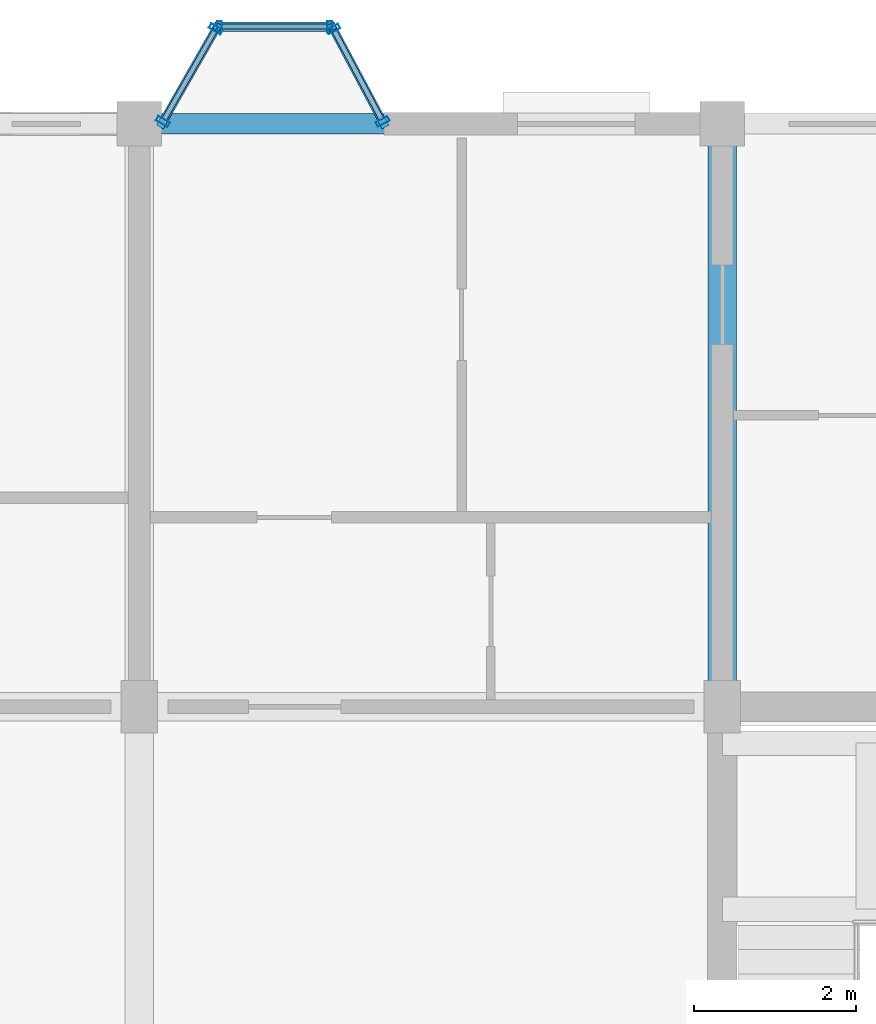
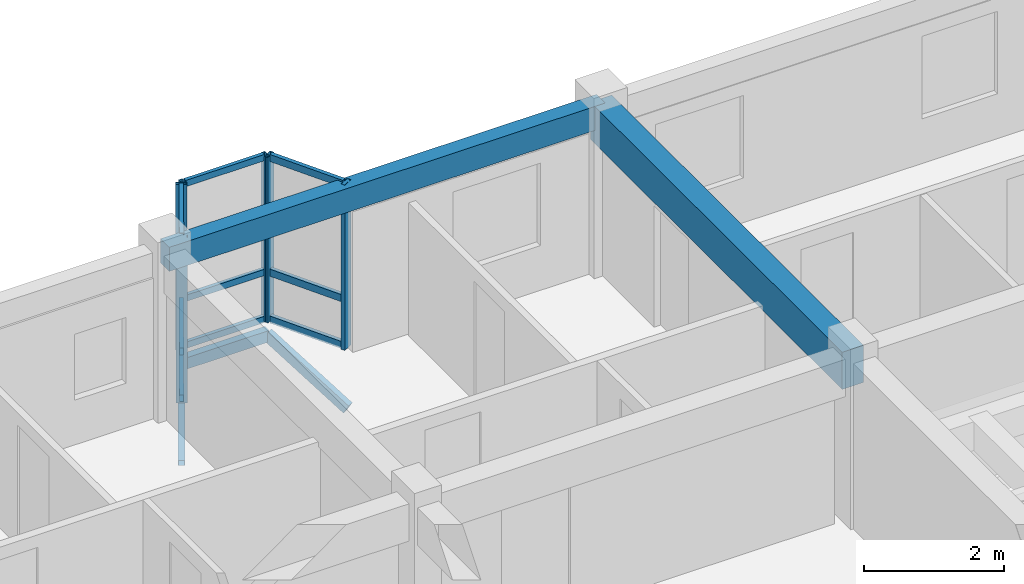
# One storey, part 42 of 77: 18 members, 2 beams, 3 elements without a shape of their own.
"""IFC4 building model written with IfcOpenShell, lengths in metres."""

from ifc_helpers import new_model, si_unit, direction, frame, origin, origin_2d, place, context, subcontext, project, spatial, rectangle, hollow_rectangle, extrude, material, layer, layer_set, material_profile, profile_set, type_object, element, aggregate, save


model = new_model("IFC4")

# Units and contexts
model_context = context("Model", 3, precision=1e-05, world=origin(), true_north=direction((0.0, 1.0)))
body_context = subcontext(model_context, "Body", "Model", "MODEL_VIEW")
ifc_project = project(units=[si_unit("LENGTHUNIT", "METRE"), si_unit("AREAUNIT", "SQUARE_METRE"), si_unit("VOLUMEUNIT", "CUBIC_METRE"), si_unit("PLANEANGLEUNIT", "RADIAN"), si_unit("MASSUNIT", "GRAM", prefix="KILO"), si_unit("THERMODYNAMICTEMPERATUREUNIT", "KELVIN"), si_unit("POWERUNIT", "WATT")], contexts=[model_context])

# Site, building, storey
site_placement = place(None, origin())
site = spatial("IfcSite", under=ifc_project, at=site_placement, CompositionType="ELEMENT")
building_placement = place(site_placement, origin())
building = spatial("IfcBuilding", under=site, at=building_placement, Name="Tavuni Mirador Residences", CompositionType="ELEMENT")
storey_placement = place(building_placement, frame((0.0, 0.0, 10.800048828125)))
storey = spatial("IfcBuildingStorey", under=building, at=storey_placement, Name="L03", CompositionType="ELEMENT", Elevation=10.800048828125)

# Beams
ifc_material_1 = material(Name="Precast concrete C40/50", Category="concrete")
ifc_material_profile_1 = material_profile(ifc_material_1, rectangle(XDim=0.35009765625, YDim=0.64990234375, at=origin_2d()), Name="PC 350x650", Category="concrete")
ifc_profile_set_1 = profile_set([ifc_material_profile_1], Name="Precast concrete C40/50")
beam_type_1 = type_object("IfcBeamType", Name="BT-B650", PredefinedType="BEAM", material=ifc_profile_set_1)
beam_1_placement = place(storey_placement, frame((25.199951171875, 165.60009765625, 2.56005859375), z_axis=(0.0, 1.0, 0.0), x_axis=(-1.0, 0.0, 0.0)))
element("IfcBeam", 1, at=beam_1_placement, inside=storey, type_object=beam_type_1, Name="BMY-BLK-C-L03-02-03", PredefinedType="BEAM", context=body_context, shape_type="SweptSolid", body=[
    extrude(rectangle(XDim=0.35009765625, YDim=0.64990234375, at=origin_2d()), origin(), (0.0, 0.0, 1.0), 7.199951171875),
])
ifc_material_profile_2 = material_profile(ifc_material_1, rectangle(XDim=0.25, YDim=0.419921875, at=origin_2d()), Name="PC 250x420", Category="concrete")
ifc_profile_set_2 = profile_set([ifc_material_profile_2], Name="Precast concrete C40/50")
beam_type_2 = type_object("IfcBeamType", Name="BT-SP420", PredefinedType="SPANDREL", material=ifc_profile_set_2)
beam_2_placement = place(storey_placement, frame((18.0, 172.800048828125, 2.675048828125), z_axis=(1.0, 0.0, 0.0), x_axis=(0.0, 1.0, 0.0)))
element("IfcBeam", 2, at=beam_2_placement, inside=storey, type_object=beam_type_2, Name="BMX-BLK-C-L03-01-04", PredefinedType="SPANDREL", context=body_context, shape_type="SweptSolid", body=[
    extrude(rectangle(XDim=0.25, YDim=0.419921875, at=origin_2d()), origin(), (0.0, 0.0, 1.0), 7.199951171875),
])

# Curtain wall, members
ifc_material_2 = material(Name="Anodised aluminium", Category="aluminium")
ifc_layer_1 = layer(ifc_material_2, 0.1650390625, Name="Anodised aluminium", Category="aluminium")
ifc_layer_set_1 = layer_set([ifc_layer_1], Name="Anodised aluminium")
curtain_wall_type_1 = type_object("IfcCurtainWallType", Name="CWT-MIR-A", PredefinedType="NOTDEFINED", material=ifc_layer_set_1)
curtain_wall_1_placement = place(storey_placement, origin())
curtain_wall_1 = element("IfcCurtainWall", 3, at=curtain_wall_1_placement, inside=storey, type_object=curtain_wall_type_1, Name="CW-MIR-C-N1-L03-MF", PredefinedType="NOTDEFINED")
ifc_material_profile_3 = material_profile(ifc_material_2, hollow_rectangle(XDim=0.06005859375, YDim=0.139892578125, WallThickness=0.00390625, at=origin_2d()), Name="ALU 60x140x4.0", Category="aluminium")
ifc_profile_set_3 = profile_set([ifc_material_profile_3], Name="Anodised aluminium")
member_type_1 = type_object("IfcMemberType", Name="CWM-140", PredefinedType="MULLION", material=ifc_profile_set_3)
member_1_placement = place(storey_placement, frame((20.35009765625, 174.0, 0.0), z_axis=(0.0, 0.0, 1.0), x_axis=(-1.0, 0.0, 0.0)))
member_1 = element("IfcMember", 4, at=member_1_placement, type_object=member_type_1, Name="CW-01 mullion 1", PredefinedType="MULLION", context=body_context, shape_type="SweptSolid", body=[
    extrude(hollow_rectangle(XDim=0.06005859375, YDim=0.139892578125, WallThickness=0.00390625, at=origin_2d()), origin(), (0.0, 0.0, 1.0), 2.885009765625),
])
member_2_placement = place(storey_placement, frame((18.989990234375, 174.0, 0.0), z_axis=(0.0, 0.0, 1.0), x_axis=(-1.0, 0.0, 0.0)))
member_2 = element("IfcMember", 5, at=member_2_placement, type_object=member_type_1, Name="CW-01 mullion 2", PredefinedType="MULLION", context=body_context, shape_type="SweptSolid", body=[
    extrude(hollow_rectangle(XDim=0.06005859375, YDim=0.139892578125, WallThickness=0.00390625, at=origin_2d()), origin(), (0.0, 0.0, 1.0), 2.885009765625),
])

ifc_layer_2 = layer(ifc_material_2, 0.159912109375, Name="Anodised aluminium", Category="aluminium")
ifc_layer_set_2 = layer_set([ifc_layer_2], Name="Anodised aluminium")
curtain_wall_type_2 = type_object("IfcCurtainWallType", Name="CWT-MIR-D", PredefinedType="NOTDEFINED", material=ifc_layer_set_2)
curtain_wall_2_placement = place(storey_placement, origin())
curtain_wall_2 = element("IfcCurtainWall", 6, at=curtain_wall_2_placement, inside=storey, type_object=curtain_wall_type_2, Name="CW-MIR-C-N1-L03-M1", PredefinedType="NOTDEFINED")
ifc_material_profile_4 = material_profile(ifc_material_2, hollow_rectangle(XDim=0.06494140625, YDim=0.1650390625, WallThickness=0.00439453125, at=origin_2d()), Name="ALU 65x165x4.5", Category="aluminium")
ifc_profile_set_4 = profile_set([ifc_material_profile_4], Name="Anodised aluminium")
member_type_2 = type_object("IfcMemberType", Name="CWM-165", PredefinedType="MULLION", material=ifc_profile_set_4)
member_3_placement = place(storey_placement, frame((21.004638671875, 172.82861328125, 0.0), z_axis=(0.0, 0.0, 1.0), x_axis=(-0.470588235296, 0.882352941175, 0.0)))
member_3 = element("IfcMember", 7, at=member_3_placement, type_object=member_type_2, Name="CW-04 mullion 1", PredefinedType="MULLION", context=body_context, shape_type="SweptSolid", body=[
    extrude(hollow_rectangle(XDim=0.06494140625, YDim=0.1650390625, WallThickness=0.00439453125, at=origin_2d()), origin(), (0.0, 0.0, 1.0), 2.885009765625),
])
member_4_placement = place(storey_placement, frame((20.395263671875, 173.971435546875, 0.0), z_axis=(0.0, 0.0, 1.0), x_axis=(-0.470588235296, 0.882352941175, 0.0)))
member_4 = element("IfcMember", 8, at=member_4_placement, type_object=member_type_2, Name="CW-04 mullion 2", PredefinedType="MULLION", context=body_context, shape_type="SweptSolid", body=[
    extrude(hollow_rectangle(XDim=0.06494140625, YDim=0.1650390625, WallThickness=0.00439453125, at=origin_2d()), origin(), (0.0, 0.0, 1.0), 2.885009765625),
])

ifc_layer_3 = layer(ifc_material_2, 0.14990234375, Name="Anodised aluminium", Category="aluminium")
ifc_layer_set_3 = layer_set([ifc_layer_3], Name="Anodised aluminium")
curtain_wall_type_3 = type_object("IfcCurtainWallType", Name="CWT-MIR-B", PredefinedType="NOTDEFINED", material=ifc_layer_set_3)
curtain_wall_3_placement = place(storey_placement, origin())
curtain_wall_3 = element("IfcCurtainWall", 9, at=curtain_wall_3_placement, inside=storey, type_object=curtain_wall_type_3, Name="CW-MIR-C-N1-L03-M2", PredefinedType="NOTDEFINED")
member_5_placement = place(storey_placement, frame((18.94384765625, 173.9716796875, 0.0), z_axis=(0.0, 0.0, 1.0), x_axis=(-0.495749192217, -0.868465738194, 0.0)))
member_5 = element("IfcMember", 10, at=member_5_placement, type_object=member_type_2, Name="CW-02 mullion 1", PredefinedType="MULLION", context=body_context, shape_type="SweptSolid", body=[
    extrude(hollow_rectangle(XDim=0.06494140625, YDim=0.1650390625, WallThickness=0.00439453125, at=origin_2d()), origin(), (0.0, 0.0, 1.0), 2.885009765625),
])
member_6_placement = place(storey_placement, frame((18.291015625, 172.828125, 0.0), z_axis=(0.0, 0.0, 1.0), x_axis=(-0.495749192217, -0.868465738194, 0.0)))
member_6 = element("IfcMember", 11, at=member_6_placement, type_object=member_type_2, Name="CW-02 mullion 2", PredefinedType="MULLION", context=body_context, shape_type="SweptSolid", body=[
    extrude(hollow_rectangle(XDim=0.06494140625, YDim=0.1650390625, WallThickness=0.00439453125, at=origin_2d()), origin(), (0.0, 0.0, 1.0), 2.885009765625),
])

# Member
ifc_material_profile_5 = material_profile(ifc_material_2, hollow_rectangle(XDim=0.06005859375, YDim=0.110107421875, WallThickness=0.00390625, at=origin_2d()), Name="ALU 60x110x4.0", Category="aluminium")
ifc_profile_set_5 = profile_set([ifc_material_profile_5], Name="Anodised aluminium")
member_type_3 = type_object("IfcMemberType", Name="CWT-110", PredefinedType="USERDEFINED", material=ifc_profile_set_5)
member_7_placement = place(storey_placement, frame((20.320068359375, 174.0, 0.030029296875), z_axis=(-1.0, 0.0, 0.0), x_axis=(0.0, -1.0, 0.0)))
member_7 = element("IfcMember", 12, at=member_7_placement, type_object=member_type_3, Name="CW-01 transom 1.1", ObjectType="TRANSOM", PredefinedType="USERDEFINED", context=body_context, shape_type="SweptSolid", body=[
    extrude(hollow_rectangle(XDim=0.06005859375, YDim=0.110107421875, WallThickness=0.00390625, at=origin_2d()), origin(), (0.0, 0.0, 1.0), 1.300048828125),
])

member_8_placement = place(storey_placement, frame((20.320068359375, 174.0, 0.849853515625), z_axis=(-1.0, 0.0, 0.0), x_axis=(0.0, -1.0, 0.0)))
member_8 = element("IfcMember", 13, at=member_8_placement, type_object=member_type_3, Name="CW-01 transom 1.2", ObjectType="TRANSOM", PredefinedType="USERDEFINED", context=body_context, shape_type="SweptSolid", body=[
    extrude(hollow_rectangle(XDim=0.06005859375, YDim=0.110107421875, WallThickness=0.00390625, at=origin_2d()), origin(), (0.0, 0.0, 1.0), 1.300048828125),
])

member_9_placement = place(storey_placement, frame((20.320068359375, 174.0, 2.85498046875), z_axis=(-1.0, 0.0, 0.0), x_axis=(0.0, -1.0, 0.0)))
member_9 = element("IfcMember", 14, at=member_9_placement, type_object=member_type_3, Name="CW-01 transom 1.3", ObjectType="TRANSOM", PredefinedType="USERDEFINED", context=body_context, shape_type="SweptSolid", body=[
    extrude(hollow_rectangle(XDim=0.06005859375, YDim=0.110107421875, WallThickness=0.00390625, at=origin_2d()), origin(), (0.0, 0.0, 1.0), 1.300048828125),
])

aggregate(curtain_wall_1, [member_1, member_2, member_7, member_8, member_9])

ifc_material_profile_6 = material_profile(ifc_material_2, hollow_rectangle(XDim=0.06494140625, YDim=0.125, WallThickness=0.00439453125, at=origin_2d()), Name="ALU 65x125x4.5", Category="aluminium")
ifc_profile_set_6 = profile_set([ifc_material_profile_6], Name="Anodised aluminium")
member_type_4 = type_object("IfcMemberType", Name="CWT-125", PredefinedType="USERDEFINED", material=ifc_profile_set_6)
member_10_placement = place(storey_placement, frame((20.989501953125, 172.857421875, 0.032470703125), z_axis=(-0.470639747922, 0.882325465843, 0.0), x_axis=(-0.882325465843, -0.470639747922, 0.0)))
member_10 = element("IfcMember", 15, at=member_10_placement, type_object=member_type_4, Name="CW-04 transom 1.1", ObjectType="TRANSOM", PredefinedType="USERDEFINED", context=body_context, shape_type="SweptSolid", body=[
    extrude(hollow_rectangle(XDim=0.06494140625, YDim=0.125, WallThickness=0.00439453125, at=origin_2d()), origin(), (0.0, 0.0, 1.0), 1.22998046875),
])

member_11_placement = place(storey_placement, frame((20.989501953125, 172.857421875, 0.849853515625), z_axis=(-0.470639747922, 0.882325465843, 0.0), x_axis=(-0.882325465843, -0.470639747922, 0.0)))
member_11 = element("IfcMember", 16, at=member_11_placement, type_object=member_type_4, Name="CW-04 transom 1.2", ObjectType="TRANSOM", PredefinedType="USERDEFINED", context=body_context, shape_type="SweptSolid", body=[
    extrude(hollow_rectangle(XDim=0.06494140625, YDim=0.125, WallThickness=0.00439453125, at=origin_2d()), origin(), (0.0, 0.0, 1.0), 1.22998046875),
])

member_12_placement = place(storey_placement, frame((20.989501953125, 172.857421875, 2.8525390625), z_axis=(-0.470639747922, 0.882325465843, 0.0), x_axis=(-0.882325465843, -0.470639747922, 0.0)))
member_12 = element("IfcMember", 17, at=member_12_placement, type_object=member_type_4, Name="CW-04 transom 1.3", ObjectType="TRANSOM", PredefinedType="USERDEFINED", context=body_context, shape_type="SweptSolid", body=[
    extrude(hollow_rectangle(XDim=0.06494140625, YDim=0.125, WallThickness=0.00439453125, at=origin_2d()), origin(), (0.0, 0.0, 1.0), 1.22998046875),
])

aggregate(curtain_wall_2, [member_3, member_4, member_10, member_11, member_12])

member_13_placement = place(storey_placement, frame((18.927734375, 173.943603515625, 0.032470703125), z_axis=(-0.495760837306, -0.868459090685, 0.0), x_axis=(0.868459090685, -0.495760837306, 0.0)))
member_13 = element("IfcMember", 18, at=member_13_placement, type_object=member_type_4, Name="CW-02 transom 1.1", ObjectType="TRANSOM", PredefinedType="USERDEFINED", context=body_context, shape_type="SweptSolid", body=[
    extrude(hollow_rectangle(XDim=0.06494140625, YDim=0.125, WallThickness=0.00439453125, at=origin_2d()), origin(), (0.0, 0.0, 1.0), 1.251708984375),
])

member_14_placement = place(storey_placement, frame((18.927734375, 173.943603515625, 0.849853515625), z_axis=(-0.495760837306, -0.868459090685, 0.0), x_axis=(0.868459090685, -0.495760837306, 0.0)))
member_14 = element("IfcMember", 19, at=member_14_placement, type_object=member_type_4, Name="CW-02 transom 1.2", ObjectType="TRANSOM", PredefinedType="USERDEFINED", context=body_context, shape_type="SweptSolid", body=[
    extrude(hollow_rectangle(XDim=0.06494140625, YDim=0.125, WallThickness=0.00439453125, at=origin_2d()), origin(), (0.0, 0.0, 1.0), 1.251708984375),
])

member_15_placement = place(storey_placement, frame((18.927734375, 173.943603515625, 2.8525390625), z_axis=(-0.495760837306, -0.868459090685, 0.0), x_axis=(0.868459090685, -0.495760837306, 0.0)))
member_15 = element("IfcMember", 20, at=member_15_placement, type_object=member_type_4, Name="CW-02 transom 1.3", ObjectType="TRANSOM", PredefinedType="USERDEFINED", context=body_context, shape_type="SweptSolid", body=[
    extrude(hollow_rectangle(XDim=0.06494140625, YDim=0.125, WallThickness=0.00439453125, at=origin_2d()), origin(), (0.0, 0.0, 1.0), 1.251708984375),
])

aggregate(curtain_wall_3, [member_5, member_6, member_13, member_14, member_15])

# Members
ifc_material_3 = material(Name="Structural steel S355", Category="steel")
ifc_material_profile_7 = material_profile(ifc_material_3, hollow_rectangle(XDim=0.10009765625, YDim=0.179931640625, WallThickness=0.008056640625, at=origin_2d()), Name="RHS 180x100x8.0", Category="steel")
ifc_profile_set_7 = profile_set([ifc_material_profile_7], Name="Structural steel S355")
member_type_5 = type_object("IfcMemberType", Name="MT-BR-RHS180", PredefinedType="BRACE", material=ifc_profile_set_7)
member_16_placement = place(storey_placement, frame((18.27490234375, 172.800048828125, -1.050048828125), z_axis=(0.431095380922, 0.755108267011, 0.493931450344), x_axis=(-0.868438794398, 0.495796390047, 0.0)))
element("IfcMember", 21, at=member_16_placement, inside=storey, type_object=member_type_5, Name="MBRK-MIR-C-N1-L03-1", PredefinedType="BRACE", context=body_context, shape_type="SweptSolid", body=[
    extrude(hollow_rectangle(XDim=0.10009765625, YDim=0.179931640625, WallThickness=0.008056640625, at=origin_2d()), origin(), (0.0, 0.0, 1.0), 1.589111328125),
])
member_17_placement = place(storey_placement, frame((21.02001953125, 172.800048828125, -1.050048828125), z_axis=(-0.407660536563, 0.76416915988, 0.499858361956), x_axis=(-0.882303244255, -0.470681405175, 0.0)))
element("IfcMember", 22, at=member_17_placement, inside=storey, type_object=member_type_5, Name="MBRK-MIR-C-N1-L03-2", PredefinedType="BRACE", context=body_context, shape_type="SweptSolid", body=[
    extrude(hollow_rectangle(XDim=0.10009765625, YDim=0.179931640625, WallThickness=0.008056640625, at=origin_2d()), origin(), (0.0, 0.0, 1.0), 1.5703125),
])
ifc_material_profile_8 = material_profile(ifc_material_3, hollow_rectangle(XDim=0.1201171875, YDim=0.199951171875, WallThickness=0.010009765625, at=origin_2d()), Name="RHS 200x120x10.0", Category="steel")
ifc_profile_set_8 = profile_set([ifc_material_profile_8], Name="Structural steel S355")
member_type_6 = type_object("IfcMemberType", Name="MT-ST-RHS200", PredefinedType="STRUT", material=ifc_profile_set_8)
member_18_placement = place(storey_placement, frame((18.9599609375, 174.0, -0.26513671875), z_axis=(1.0, 0.0, 0.0), x_axis=(0.0, 1.0, 0.0)))
element("IfcMember", 23, at=member_18_placement, inside=storey, type_object=member_type_6, Name="MRIM-MIR-C-N1-L03", PredefinedType="STRUT", context=body_context, shape_type="SweptSolid", body=[
    extrude(hollow_rectangle(XDim=0.1201171875, YDim=0.199951171875, WallThickness=0.010009765625, at=origin_2d()), origin(), (0.0, 0.0, 1.0), 1.419921875),
])

save(model, "model.ifc")
